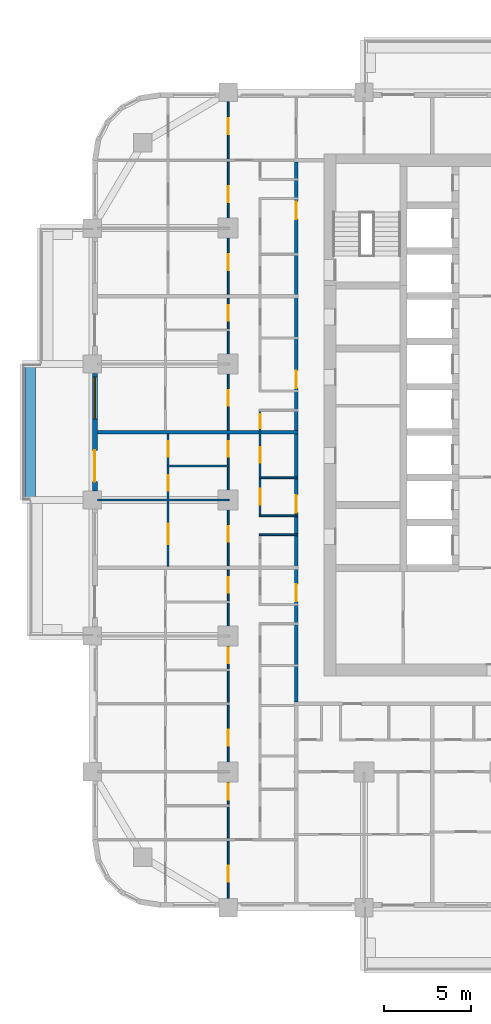
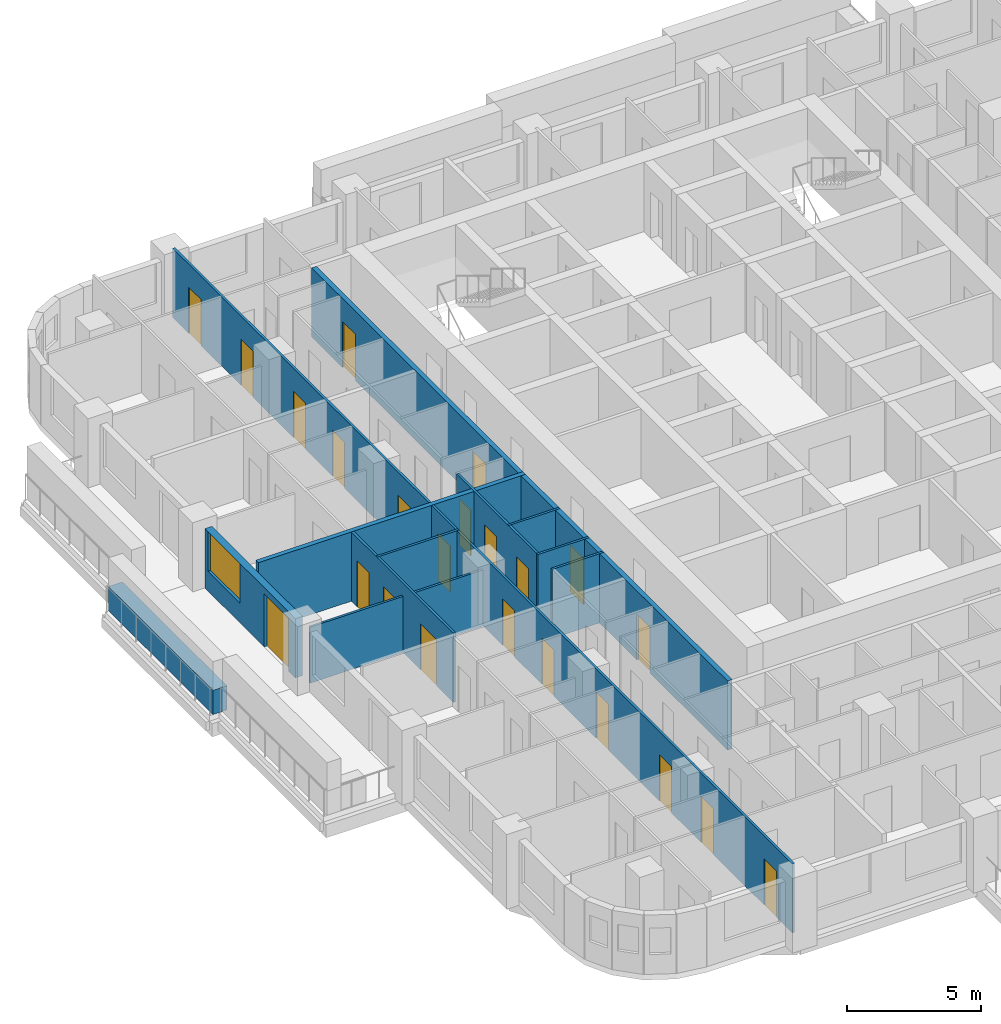
# One storey, part 5 of 17: 23 doors, 12 walls, 1 window, 24 openings.
"""IFC4 building model written with IfcOpenShell, lengths in metres."""

import ifcopenshell
import ifcopenshell.guid

model = None  # the IFC model being written
_history = None  # IfcOwnerHistory: only IFC2X3 demands one
_inside = {}  # id of a spatial element -> (the spatial element, [elements in it])
_under = {}  # id of a project, library or spatial element -> (it, [spatial elements below it])
_declared = {}  # id of a project -> (the project, [libraries it declares])
_typed = {}  # id of a type object -> (the type object, [elements of that type])
_made_of = {}  # id of a material, layer set ... -> (it, [elements and type objects made of it])


def new_model(schema):
    """Start an empty IFC model of exactly this schema.

    Asked for "IFC4X3", IfcOpenShell would pick the latest addendum, in which some entities
    have other attributes; the version numbers below select the first issue.
    IFC2X3 requires an IfcOwnerHistory on every rooted entity: one is made here for all.
    """
    global model, _history
    if schema == "IFC4X3":
        model = ifcopenshell.file(schema_version=(4, 3, 0, 0))
    else:
        model = ifcopenshell.file(schema=schema)
    _inside.clear()
    _under.clear()
    _declared.clear()
    _typed.clear()
    _made_of.clear()
    _history = None
    if model.schema == "IFC2X3":
        org = make("IfcOrganization", Name="unknown")
        user = make(
            "IfcPersonAndOrganization",
            ThePerson=make("IfcPerson", FamilyName="unknown"),
            TheOrganization=org,
        )
        app = make(
            "IfcApplication",
            ApplicationDeveloper=org,
            Version="unknown",
            ApplicationFullName="unknown",
            ApplicationIdentifier="unknown",
        )
        _history = make(
            "IfcOwnerHistory",
            OwningUser=user,
            OwningApplication=app,
            ChangeAction="ADDED",
            CreationDate=0,
        )
    return model


def make(cls, **values):
    """One entity of the class cls with the attributes given. An attribute that is None is left unset."""
    return model.create_entity(
        cls, **{name: value for name, value in values.items() if value is not None}
    )


def rooted(cls, **values):
    """An entity with a GlobalId (a new one), such as an element, a storey or a relation."""
    return make(cls, GlobalId=ifcopenshell.guid.new(), OwnerHistory=_history, **values)


def si_unit(unit_type, name, prefix=None):
    """IfcSIUnit, for example si_unit("LENGTHUNIT", "METRE", prefix="MILLI")."""
    return make("IfcSIUnit", UnitType=unit_type, Prefix=prefix, Name=name)


def assignment(units):
    """IfcUnitAssignment: the units of a project."""
    return None if units is None else make("IfcUnitAssignment", Units=units)


def point(xyz):
    """IfcCartesianPoint."""
    return None if xyz is None else make("IfcCartesianPoint", Coordinates=xyz)


def direction(xyz):
    """IfcDirection."""
    return None if xyz is None else make("IfcDirection", DirectionRatios=xyz)


def frame(location, z_axis=None, x_axis=None):
    """IfcAxis2Placement3D, a coordinate frame: its origin and axes. An axis left out is left unset."""
    return make(
        "IfcAxis2Placement3D",
        Location=point(location),
        Axis=direction(z_axis),
        RefDirection=direction(x_axis),
    )


def frame_2d(location, x_axis=None):
    """IfcAxis2Placement2D, a coordinate frame in the plane: its origin and x axis."""
    return make(
        "IfcAxis2Placement2D", Location=point(location), RefDirection=direction(x_axis)
    )


def origin():
    """The frame at (0, 0, 0) with its axes left unset."""
    return frame((0.0, 0.0, 0.0))


def place(relative_to, where):
    """IfcLocalPlacement: puts the frame where relative to a parent placement (None: the world)."""
    return make(
        "IfcLocalPlacement", PlacementRelTo=relative_to, RelativePlacement=where
    )


def context(
    kind, dimensions, precision=None, world=None, true_north=None, identifier=None
):
    """IfcGeometricRepresentationContext, for example the 3D "Model" context."""
    return make(
        "IfcGeometricRepresentationContext",
        ContextIdentifier=identifier,
        ContextType=kind,
        CoordinateSpaceDimension=dimensions,
        Precision=precision,
        WorldCoordinateSystem=world,
        TrueNorth=true_north,
    )


def subcontext(parent, identifier, kind, view, scale=None):
    """IfcGeometricRepresentationSubContext, for example "Body" below "Model"."""
    return make(
        "IfcGeometricRepresentationSubContext",
        ContextIdentifier=identifier,
        ContextType=kind,
        ParentContext=parent,
        TargetScale=scale,
        TargetView=view,
    )


def project(units=None, contexts=None):
    """IfcProject with its units and contexts."""
    return rooted(
        "IfcProject",
        Name="project",
        RepresentationContexts=contexts,
        UnitsInContext=assignment(units),
    )


def spatial(cls, under=None, at=None, **own):
    """A site, building, storey or space (cls), placed at a placement, below another one or the project."""
    s = rooted(cls, ObjectPlacement=at, **own)
    if under is not None:
        _under.setdefault(under.id(), (under, []))[1].append(s)
    return s


def profile(cls, at=None, kind="AREA", **sizes):
    """A parametric profile (cls). Its sizes go by their IFC names, for example OverallWidth=200.0."""
    return make(cls, ProfileType=kind, Position=at, **sizes)


def rectangle(**sizes):
    """IfcRectangleProfileDef."""
    return profile("IfcRectangleProfileDef", **sizes)


def extrude(swept, where, along, depth):
    """IfcExtrudedAreaSolid: the profile swept, set in the frame where, extruded along a direction by depth."""
    return make(
        "IfcExtrudedAreaSolid",
        SweptArea=swept,
        Position=where,
        ExtrudedDirection=direction(along),
        Depth=depth,
    )


def shape(context_of_items, identifier, shape_type, items):
    """IfcShapeRepresentation: the items that make up one representation, for example the "Body"."""
    return make(
        "IfcShapeRepresentation",
        ContextOfItems=context_of_items,
        RepresentationIdentifier=identifier,
        RepresentationType=shape_type,
        Items=items,
    )


def material(Name=None, Category=None):
    """IfcMaterial."""
    return make("IfcMaterial", Name=Name, Category=Category)


def layer(
    of_material, thickness, ventilated=None, Name=None, Category=None, Priority=None
):
    """IfcMaterialLayer: one layer of a wall or slab, of a material (None: an air gap)."""
    return make(
        "IfcMaterialLayer",
        Material=of_material,
        LayerThickness=thickness,
        IsVentilated=ventilated,
        Name=Name,
        Category=Category,
        Priority=Priority,
    )


def layer_set(layers, Name=None):
    """IfcMaterialLayerSet."""
    return make("IfcMaterialLayerSet", MaterialLayers=layers, LayerSetName=Name)


def made_of(thing, what):
    """Note that an element or type object is made of a material, layer set ...; save() writes the relation."""
    if what is not None:
        _made_of.setdefault(what.id(), (what, []))[1].append(thing)
    return thing


def type_object(cls, material=None, **own):
    """A type object (cls), such as IfcWallType, which elements share."""
    return made_of(rooted(cls, **own), material)


def element(
    cls,
    number,
    at=None,
    inside=None,
    cuts=None,
    type_object=None,
    material=None,
    context=None,
    identifier="Body",
    shape_type=None,
    held_by="IfcProductDefinitionShape",
    body=None,
    shapes=None,
    **own,
):
    """One element of the class cls, such as IfcWall. Its Tag is "e" and its number.

    at: its placement. inside: the storey or other place that contains it. cuts: it is an
    opening in that element (IfcRelVoidsElement). A single representation is given by context,
    identifier, shape_type and body (its items); several are given by shapes. held_by: the class
    of the entity that holds the representations. save() writes the other relations.
    """
    e = rooted(cls, Tag="e%d" % number, ObjectPlacement=at, **own)
    if body is not None:
        shapes = [shape(context, identifier, shape_type, body)]
    if shapes is not None:
        e.Representation = make(held_by, Representations=shapes)
    if inside is not None:
        _inside.setdefault(inside.id(), (inside, []))[1].append(e)
    if cuts is not None:
        rooted(
            "IfcRelVoidsElement", RelatingBuildingElement=cuts, RelatedOpeningElement=e
        )
    if type_object is not None:
        _typed.setdefault(type_object.id(), (type_object, []))[1].append(e)
    return made_of(e, material)


def fill(opening, filler):
    """IfcRelFillsElement: the door or window that sits in an opening."""
    return rooted(
        "IfcRelFillsElement",
        RelatingOpeningElement=opening,
        RelatedBuildingElement=filler,
    )


def aggregate(whole, parts):
    """IfcRelAggregates: a whole, such as a stair, and the parts it consists of."""
    return rooted("IfcRelAggregates", RelatingObject=whole, RelatedObjects=parts)


def save(model, path):
    """Write the relations noted so far, then the file.

    IfcRelAggregates (storeys below a building ...), IfcRelContainedInSpatialStructure (elements
    in a storey), IfcRelDefinesByType, IfcRelAssociatesMaterial and IfcRelDeclares: one each for
    every whole, place, type object, material and project.
    """
    for whole, parts in _under.values():
        aggregate(whole, parts)
    for where, things in _inside.values():
        rooted(
            "IfcRelContainedInSpatialStructure",
            RelatedElements=things,
            RelatingStructure=where,
        )
    for kind, things in _typed.values():
        rooted("IfcRelDefinesByType", RelatedObjects=things, RelatingType=kind)
    for what, things in _made_of.values():
        rooted("IfcRelAssociatesMaterial", RelatedObjects=things, RelatingMaterial=what)
    for by, libraries in _declared.values():
        rooted("IfcRelDeclares", RelatingContext=by, RelatedDefinitions=libraries)
    model.write(path)


model = new_model("IFC4")

# Units and contexts
model_context = context("Model", 3, precision=1e-05, world=origin(), true_north=direction((0.0, 1.0)))
body_context = subcontext(model_context, "Body", "Model", "MODEL_VIEW")
ifc_project = project(units=[si_unit("LENGTHUNIT", "METRE"), si_unit("AREAUNIT", "SQUARE_METRE"), si_unit("VOLUMEUNIT", "CUBIC_METRE"), si_unit("PLANEANGLEUNIT", "RADIAN"), si_unit("MASSUNIT", "GRAM", prefix="KILO")], contexts=[model_context])

# Site, building, storey
site_placement = place(None, origin())
site = spatial("IfcSite", under=ifc_project, at=site_placement, CompositionType="ELEMENT")
building_placement = place(site_placement, origin())
building = spatial("IfcBuilding", under=site, at=building_placement, Name="Ludao Terraces", CompositionType="ELEMENT")
storey_placement = place(building_placement, frame((0.0, 0.0, 39.89990234375)))
storey = spatial("IfcBuildingStorey", under=building, at=storey_placement, Name="L10", CompositionType="ELEMENT", Elevation=39.89990234375)

# Wall
ifc_material_1 = material(Name="Concrete C40", Category="concrete")
ifc_layer_1 = layer(ifc_material_1, 0.60009765625)
ifc_layer_set_1 = layer_set([ifc_layer_1], Name="ENV Planter trough 600")
wall_type_1 = type_object("IfcWallType", Name="ENV Planter trough 600", PredefinedType="USERDEFINED", material=ifc_layer_set_1)
wall_1_placement = place(storey_placement, frame((58.050048828125, 65.0, 0.0), z_axis=(0.0, 0.0, 1.0), x_axis=(0.0, 1.0, 0.0)))
element("IfcWall", 1, at=wall_1_placement, inside=storey, type_object=wall_type_1, Name="PL-L10-W3", ObjectType="PLANTER", PredefinedType="USERDEFINED", context=body_context, shape_type="SweptSolid", body=[
    extrude(rectangle(XDim=7.800048828125, YDim=0.60009765625, at=frame_2d((3.89990234375, 0.0))), origin(), (0.0, 0.0, 1.0), 1.10009765625),
])

# Wall, openings, door, window
ifc_material_2 = material(Name="Granite cladding", Category="masonry")
ifc_layer_2 = layer(ifc_material_2, 0.0400390625, Category="stone")
ifc_material_3 = material(Name="Mineral wool")
ifc_layer_3 = layer(ifc_material_3, 0.06005859375)
ifc_layer_4 = layer(ifc_material_1, 0.199951171875, Category="concrete")
ifc_layer_set_2 = layer_set([ifc_layer_2, ifc_layer_3, ifc_layer_4], Name="ENV Stone-clad wall 300")
wall_type_2 = type_object("IfcWallType", Name="ENV Stone-clad wall 300", PredefinedType="SOLIDWALL", material=ifc_layer_set_2)
wall_2_placement = place(storey_placement, frame((61.75, 65.52490234375, 0.0), z_axis=(0.0, 0.0, 1.0), x_axis=(0.0, 1.0, 0.0)))
wall_2 = element("IfcWall", 2, at=wall_2_placement, inside=storey, type_object=wall_type_2, Name="EW-L10-W4", PredefinedType="SOLIDWALL", context=body_context, shape_type="SweptSolid", body=[
    extrude(rectangle(XDim=6.75, YDim=0.300048828125, at=frame_2d((3.375, 0.0))), origin(), (0.0, 0.0, 1.0), 2.7001953125),
])
opening_1_placement = place(wall_2_placement, frame((0.52490234375, 0.0, 0.0)))
opening_1 = element("IfcOpeningElement", 3, at=opening_1_placement, cuts=wall_2, Name="Opening BD", PredefinedType="OPENING", context=body_context, shape_type="SweptSolid", body=[
    extrude(rectangle(XDim=1.800048828125, YDim=2.39990234375, at=frame_2d((0.89990234375, 1.199951171875))), frame((0.0, 0.16015625, 0.0), z_axis=(0.0, -1.0, 0.0), x_axis=(1.0, 0.0, 0.0)), (0.0, 0.0, 1.0), 0.320068359375),
])
opening_2_placement = place(wall_2_placement, frame((4.125, 0.0, 0.89990234375)))
opening_2 = element("IfcOpeningElement", 4, at=opening_2_placement, cuts=wall_2, Name="Opening W1", PredefinedType="OPENING", context=body_context, shape_type="SweptSolid", body=[
    extrude(rectangle(XDim=2.39990234375, YDim=1.800048828125, at=frame_2d((1.199951171875, 0.89990234375))), frame((0.0, 0.16015625, 0.0), z_axis=(0.0, -1.0, 0.0), x_axis=(1.0, 0.0, 0.0)), (0.0, 0.0, 1.0), 0.320068359375),
])
ifc_material_4 = material(Name="Aluminium glazed door", Category="aluminium")
ifc_layer_5 = layer(ifc_material_4, 0.06005859375)
ifc_layer_set_3 = layer_set([ifc_layer_5], Name="ENV Balcony door BD 1800x2400")
door_type_1 = type_object("IfcDoorType", Name="ENV Balcony door BD 1800x2400", OperationType="DOUBLE_DOOR_SINGLE_SWING", PredefinedType="DOOR", material=ifc_layer_set_3)
door_1_placement = place(opening_1_placement, origin())
door_1 = element("IfcDoor", 5, at=door_1_placement, inside=storey, type_object=door_type_1, Name="BD-L10-W4-1", OperationType="DOUBLE_DOOR_SINGLE_SWING", OverallHeight=2.39990234375, OverallWidth=1.800048828125, PredefinedType="DOOR", context=body_context, shape_type="SweptSolid", body=[
    extrude(rectangle(XDim=1.800048828125, YDim=2.39990234375, at=frame_2d((0.89990234375, 1.199951171875))), frame((0.0, 0.02490234375, 0.0), z_axis=(0.0, -1.0, 0.0), x_axis=(1.0, 0.0, 0.0)), (0.0, 0.0, 1.0), 0.050048828125),
])
fill(opening_1, door_1)
ifc_material_5 = material(Name="Clear glass in aluminium frame", Category="aluminium")
ifc_layer_6 = layer(ifc_material_5, 0.06005859375)
ifc_layer_set_4 = layer_set([ifc_layer_6], Name="ENV Window W1 2400x1800")
window_type = type_object("IfcWindowType", Name="ENV Window W1 2400x1800", PartitioningType="DOUBLE_PANEL_VERTICAL", PredefinedType="WINDOW", material=ifc_layer_set_4)
window_placement = place(opening_2_placement, origin())
window = element("IfcWindow", 6, at=window_placement, inside=storey, type_object=window_type, Name="W-L10-W4-2", OverallHeight=1.800048828125, OverallWidth=2.39990234375, PartitioningType="DOUBLE_PANEL_VERTICAL", PredefinedType="WINDOW", context=body_context, shape_type="SweptSolid", body=[
    extrude(rectangle(XDim=2.39990234375, YDim=1.800048828125, at=frame_2d((1.199951171875, 0.89990234375))), frame((0.0, 0.030029296875, 0.0), z_axis=(0.0, -1.0, 0.0), x_axis=(1.0, 0.0, 0.0)), (0.0, 0.0, 1.0), 0.06005859375),
])
fill(opening_2, window)

# Wall, openings, doors
ifc_material_6 = material(Name="Autoclaved aerated concrete block B06 A3.5", Category="concrete")
ifc_layer_7 = layer(ifc_material_6, 0.199951171875)
ifc_layer_set_5 = layer_set([ifc_layer_7], Name="INT Entrance wall 200")
wall_type_3 = type_object("IfcWallType", Name="INT Entrance wall 200", PredefinedType="PARTITIONING", material=ifc_layer_set_5)
wall_3_placement = place(storey_placement, frame((73.300048828125, 53.400146484375, 0.0), z_axis=(0.0, 0.0, 1.0), x_axis=(0.0, 1.0, 0.0)))
wall_3 = element("IfcWall", 7, at=wall_3_placement, inside=storey, type_object=wall_type_3, Name="PW-L10-PW090", PredefinedType="PARTITIONING", context=body_context, shape_type="SweptSolid", body=[
    extrude(rectangle(XDim=31.0, YDim=0.199951171875, at=frame_2d((15.5, 0.0))), origin(), (0.0, 0.0, 1.0), 3.150146484375),
])
opening_3_placement = place(wall_3_placement, frame((5.77490234375, 0.0, 0.0)))
opening_3 = element("IfcOpeningElement", 8, at=opening_3_placement, cuts=wall_3, Name="Opening R03-067", PredefinedType="OPENING", context=body_context, shape_type="SweptSolid", body=[
    extrude(rectangle(XDim=1.0, YDim=2.10009765625, at=frame_2d((0.5, 1.050048828125))), frame((0.0, 0.10986328125, 0.0), z_axis=(0.0, -1.0, 0.0), x_axis=(1.0, 0.0, 0.0)), (0.0, 0.0, 1.0), 0.219970703125),
])
opening_4_placement = place(wall_3_placement, frame((10.875, 0.0, 0.0)))
opening_4 = element("IfcOpeningElement", 9, at=opening_4_placement, cuts=wall_3, Name="Opening R03-085", PredefinedType="OPENING", context=body_context, shape_type="SweptSolid", body=[
    extrude(rectangle(XDim=1.0, YDim=2.10009765625, at=frame_2d((0.5, 1.050048828125))), frame((0.0, 0.10986328125, 0.0), z_axis=(0.0, -1.0, 0.0), x_axis=(1.0, 0.0, 0.0)), (0.0, 0.0, 1.0), 0.219970703125),
])
opening_5_placement = place(wall_3_placement, frame((18.02490234375, 0.0, 0.0)))
opening_5 = element("IfcOpeningElement", 10, at=opening_5_placement, cuts=wall_3, Name="Opening R03-108", PredefinedType="OPENING", context=body_context, shape_type="SweptSolid", body=[
    extrude(rectangle(XDim=1.0, YDim=2.10009765625, at=frame_2d((0.5, 1.050048828125))), frame((0.0, 0.10986328125, 0.0), z_axis=(0.0, -1.0, 0.0), x_axis=(1.0, 0.0, 0.0)), (0.0, 0.0, 1.0), 0.219970703125),
])
opening_6_placement = place(wall_3_placement, frame((27.72509765625, 0.0, 0.0)))
opening_6 = element("IfcOpeningElement", 11, at=opening_6_placement, cuts=wall_3, Name="Opening R03-144", PredefinedType="OPENING", context=body_context, shape_type="SweptSolid", body=[
    extrude(rectangle(XDim=1.0, YDim=2.10009765625, at=frame_2d((0.5, 1.050048828125))), frame((0.0, 0.10986328125, 0.0), z_axis=(0.0, -1.0, 0.0), x_axis=(1.0, 0.0, 0.0)), (0.0, 0.0, 1.0), 0.219970703125),
])
ifc_material_7 = material(Name="Steel Q235", Category="steel")
door_type_2 = type_object("IfcDoorType", Name="INT Flat entrance door 1000", OperationType="SINGLE_SWING_LEFT", PredefinedType="DOOR", material=ifc_material_7)
door_2_placement = place(opening_3_placement, origin())
door_2 = element("IfcDoor", 12, at=door_2_placement, inside=storey, type_object=door_type_2, Name="DOOR 067", OperationType="SINGLE_SWING_RIGHT", OverallHeight=2.10009765625, OverallWidth=1.0, PredefinedType="DOOR", context=body_context, shape_type="SweptSolid", body=[
    extrude(rectangle(XDim=1.0, YDim=2.10009765625, at=frame_2d((0.5, 1.050048828125))), frame((0.0, 0.02490234375, 0.0), z_axis=(0.0, -1.0, 0.0), x_axis=(1.0, 0.0, 0.0)), (0.0, 0.0, 1.0), 0.050048828125),
])
fill(opening_3, door_2)
door_3_placement = place(opening_4_placement, origin())
door_3 = element("IfcDoor", 13, at=door_3_placement, inside=storey, type_object=door_type_2, Name="DOOR 085", OperationType="SINGLE_SWING_RIGHT", OverallHeight=2.10009765625, OverallWidth=1.0, PredefinedType="DOOR", context=body_context, shape_type="SweptSolid", body=[
    extrude(rectangle(XDim=1.0, YDim=2.10009765625, at=frame_2d((0.5, 1.050048828125))), frame((0.0, 0.02490234375, 0.0), z_axis=(0.0, -1.0, 0.0), x_axis=(1.0, 0.0, 0.0)), (0.0, 0.0, 1.0), 0.050048828125),
])
fill(opening_4, door_3)
door_4_placement = place(opening_5_placement, origin())
door_4 = element("IfcDoor", 14, at=door_4_placement, inside=storey, type_object=door_type_2, Name="DOOR 108", OperationType="SINGLE_SWING_RIGHT", OverallHeight=2.10009765625, OverallWidth=1.0, PredefinedType="DOOR", context=body_context, shape_type="SweptSolid", body=[
    extrude(rectangle(XDim=1.0, YDim=2.10009765625, at=frame_2d((0.5, 1.050048828125))), frame((0.0, 0.02490234375, 0.0), z_axis=(0.0, -1.0, 0.0), x_axis=(1.0, 0.0, 0.0)), (0.0, 0.0, 1.0), 0.050048828125),
])
fill(opening_5, door_4)
door_5_placement = place(opening_6_placement, origin())
door_5 = element("IfcDoor", 15, at=door_5_placement, inside=storey, type_object=door_type_2, Name="DOOR 144", OperationType="SINGLE_SWING_LEFT", OverallHeight=2.10009765625, OverallWidth=1.0, PredefinedType="DOOR", context=body_context, shape_type="SweptSolid", body=[
    extrude(rectangle(XDim=1.0, YDim=2.10009765625, at=frame_2d((0.5, 1.050048828125))), frame((0.0, 0.02490234375, 0.0), z_axis=(0.0, -1.0, 0.0), x_axis=(1.0, 0.0, 0.0)), (0.0, 0.0, 1.0), 0.050048828125),
])
fill(opening_6, door_5)

# Walls
ifc_material_8 = material(Name="Gypsum plasterboard", Category="gypsum")
ifc_layer_8 = layer(ifc_material_8, 0.012451171875, Category="gypsum")
ifc_layer_9 = layer(ifc_material_3, 0.06005859375, Name="insulation")
ifc_layer_10 = layer(ifc_material_7, 0.014892578125, Name="stud")
ifc_layer_11 = layer(ifc_material_8, 0.012451171875, Category="gypsum")
ifc_layer_set_6 = layer_set([ifc_layer_8, ifc_layer_9, ifc_layer_10, ifc_layer_11], Name="INT Partition 100")
wall_type_4 = type_object("IfcWallType", Name="INT Partition 100", PredefinedType="PARTITIONING", material=ifc_layer_set_6)
for number, where, z_axis, x_axis, name in (
    (16, (71.18017578125, 63.0, 0.0), (0.0, 0.0, 1.0), (1.0, 0.0, 0.0), "PW-L10-PW038"),
    (17, (71.18017578125, 64.10009765625, 0.0), (0.0, 0.0, 1.0), (1.0, 0.0, 0.0), "PW-L10-PW041"),
):
    element("IfcWall", number, at=place(storey_placement, frame(where, z_axis=z_axis, x_axis=x_axis)), inside=storey, type_object=wall_type_4, Name=name, PredefinedType="PARTITIONING", context=body_context, shape_type="SweptSolid", body=[
        extrude(rectangle(XDim=2.219970703125, YDim=0.10009765625, at=frame_2d((1.10986328125, 0.0))), origin(), (0.0, 0.0, 1.0), 3.150146484375),
    ])
wall_4_placement = place(storey_placement, frame((61.900146484375, 65.0, 0.0), z_axis=(0.0, 0.0, 1.0), x_axis=(1.0, 0.0, 0.0)))
element("IfcWall", 18, at=wall_4_placement, inside=storey, type_object=wall_type_4, Name="PW-L10-PW043", PredefinedType="PARTITIONING", context=body_context, shape_type="SweptSolid", body=[
    extrude(rectangle(XDim=7.550048828125, YDim=0.10009765625, at=frame_2d((3.77490234375, 0.0))), origin(), (0.0, 0.0, 1.0), 2.550048828125),
])
wall_5_placement = place(storey_placement, frame((71.18017578125, 66.280029296875, 0.0), z_axis=(0.0, 0.0, 1.0), x_axis=(1.0, 0.0, 0.0)))
element("IfcWall", 19, at=wall_5_placement, inside=storey, type_object=wall_type_4, Name="PW-L10-PW045", PredefinedType="PARTITIONING", context=body_context, shape_type="SweptSolid", body=[
    extrude(rectangle(XDim=2.219970703125, YDim=0.10009765625, at=frame_2d((1.10986328125, 0.0))), origin(), (0.0, 0.0, 1.0), 3.150146484375),
])
wall_6_placement = place(storey_placement, frame((65.900146484375, 66.949951171875, 0.0), z_axis=(0.0, 0.0, 1.0), x_axis=(1.0, 0.0, 0.0)))
element("IfcWall", 20, at=wall_6_placement, inside=storey, type_object=wall_type_4, Name="PW-L10-PW047", PredefinedType="PARTITIONING", context=body_context, shape_type="SweptSolid", body=[
    extrude(rectangle(XDim=3.550048828125, YDim=0.10009765625, at=frame_2d((1.77490234375, 0.0))), origin(), (0.0, 0.0, 1.0), 3.150146484375),
])

# Wall, openings, doors
wall_7_placement = place(storey_placement, frame((65.949951171875, 61.2001953125, 0.0), z_axis=(0.0, 0.0, 1.0), x_axis=(0.0, 1.0, 0.0)))
wall_7 = element("IfcWall", 21, at=wall_7_placement, inside=storey, type_object=wall_type_4, Name="PW-L10-PW081", PredefinedType="PARTITIONING", context=body_context, shape_type="SweptSolid", body=[
    extrude(rectangle(XDim=7.599853515625, YDim=0.10009765625, at=frame_2d((3.7998046875, 0.0))), origin(), (0.0, 0.0, 1.0), 3.150146484375),
])
opening_7_placement = place(wall_7_placement, frame((1.25, 0.0, 0.0)))
opening_7 = element("IfcOpeningElement", 22, at=opening_7_placement, cuts=wall_7, Name="Opening R03-080", PredefinedType="OPENING", context=body_context, shape_type="SweptSolid", body=[
    extrude(rectangle(XDim=1.199951171875, YDim=2.10009765625, at=frame_2d((0.60009765625, 1.050048828125))), frame((0.0, 0.06005859375, 0.0), z_axis=(0.0, -1.0, 0.0), x_axis=(1.0, 0.0, 0.0)), (0.0, 0.0, 1.0), 0.1201171875),
])
opening_8_placement = place(wall_7_placement, frame((4.324951171875, 0.0, 0.0)))
opening_8 = element("IfcOpeningElement", 23, at=opening_8_placement, cuts=wall_7, Name="Opening R03-090", PredefinedType="OPENING", context=body_context, shape_type="SweptSolid", body=[
    extrude(rectangle(XDim=0.89990234375, YDim=2.10009765625, at=frame_2d((0.449951171875, 1.050048828125))), frame((0.0, 0.06005859375, 0.0), z_axis=(0.0, -1.0, 0.0), x_axis=(1.0, 0.0, 0.0)), (0.0, 0.0, 1.0), 0.1201171875),
])
opening_9_placement = place(wall_7_placement, frame((6.27490234375, 0.0, 0.0)))
opening_9 = element("IfcOpeningElement", 24, at=opening_9_placement, cuts=wall_7, Name="Opening R03-098", PredefinedType="OPENING", context=body_context, shape_type="SweptSolid", body=[
    extrude(rectangle(XDim=0.89990234375, YDim=2.10009765625, at=frame_2d((0.449951171875, 1.050048828125))), frame((0.0, 0.06005859375, 0.0), z_axis=(0.0, -1.0, 0.0), x_axis=(1.0, 0.0, 0.0)), (0.0, 0.0, 1.0), 0.1201171875),
])
ifc_material_9 = material(Name="Timber door leaf", Category="wood")
door_type_3 = type_object("IfcDoorType", Name="INT Bathroom door 900", OperationType="SINGLE_SWING_LEFT", PredefinedType="DOOR", material=ifc_material_9)
door_6_placement = place(opening_8_placement, origin())
door_6 = element("IfcDoor", 25, at=door_6_placement, inside=storey, type_object=door_type_3, Name="DOOR 090", OperationType="SINGLE_SWING_LEFT", OverallHeight=2.10009765625, OverallWidth=0.89990234375, PredefinedType="DOOR", context=body_context, shape_type="SweptSolid", body=[
    extrude(rectangle(XDim=0.89990234375, YDim=2.10009765625, at=frame_2d((0.449951171875, 1.050048828125))), frame((0.0, 0.02490234375, 0.0), z_axis=(0.0, -1.0, 0.0), x_axis=(1.0, 0.0, 0.0)), (0.0, 0.0, 1.0), 0.050048828125),
])
fill(opening_8, door_6)
door_type_4 = type_object("IfcDoorType", Name="INT Double door 1200", OperationType="DOUBLE_DOOR_SINGLE_SWING", PredefinedType="DOOR", material=ifc_material_9)
door_7_placement = place(opening_7_placement, origin())
door_7 = element("IfcDoor", 26, at=door_7_placement, inside=storey, type_object=door_type_4, Name="DOOR 080", OperationType="DOUBLE_DOOR_SINGLE_SWING", OverallHeight=2.10009765625, OverallWidth=1.199951171875, PredefinedType="DOOR", context=body_context, shape_type="SweptSolid", body=[
    extrude(rectangle(XDim=1.199951171875, YDim=2.10009765625, at=frame_2d((0.60009765625, 1.050048828125))), frame((0.0, 0.02490234375, 0.0), z_axis=(0.0, -1.0, 0.0), x_axis=(1.0, 0.0, 0.0)), (0.0, 0.0, 1.0), 0.050048828125),
])
fill(opening_7, door_7)
door_type_5 = type_object("IfcDoorType", Name="INT Room door 900", OperationType="SINGLE_SWING_LEFT", PredefinedType="DOOR", material=ifc_material_9)
door_8_placement = place(opening_9_placement, origin())
door_8 = element("IfcDoor", 27, at=door_8_placement, inside=storey, type_object=door_type_5, Name="DOOR 098", OperationType="SINGLE_SWING_LEFT", OverallHeight=2.10009765625, OverallWidth=0.89990234375, PredefinedType="DOOR", context=body_context, shape_type="SweptSolid", body=[
    extrude(rectangle(XDim=0.89990234375, YDim=2.10009765625, at=frame_2d((0.449951171875, 1.050048828125))), frame((0.0, 0.02490234375, 0.0), z_axis=(0.0, -1.0, 0.0), x_axis=(1.0, 0.0, 0.0)), (0.0, 0.0, 1.0), 0.050048828125),
])
fill(opening_9, door_8)

wall_8_placement = place(storey_placement, frame((69.39990234375, 41.900146484375, 0.0), z_axis=(0.0, 0.0, 1.0), x_axis=(0.0, 1.0, 0.0)))
wall_8 = element("IfcWall", 28, at=wall_8_placement, inside=storey, type_object=wall_type_4, Name="PW-L10-PW083", PredefinedType="PARTITIONING", context=body_context, shape_type="SweptSolid", body=[
    extrude(rectangle(XDim=46.199951171875, YDim=0.10009765625, at=frame_2d((23.10009765625, 0.0))), origin(), (0.0, 0.0, 1.0), 3.150146484375),
])
opening_10_placement = place(wall_8_placement, frame((1.199951171875, 0.0, 0.0)))
opening_10 = element("IfcOpeningElement", 29, at=opening_10_placement, cuts=wall_8, Name="Opening R03-002", PredefinedType="OPENING", context=body_context, shape_type="SweptSolid", body=[
    extrude(rectangle(XDim=0.89990234375, YDim=2.10009765625, at=frame_2d((0.449951171875, 1.050048828125))), frame((0.0, 0.06005859375, 0.0), z_axis=(0.0, -1.0, 0.0), x_axis=(1.0, 0.0, 0.0)), (0.0, 0.0, 1.0), 0.1201171875),
])
opening_11_placement = place(wall_8_placement, frame((5.89990234375, 0.0, 0.0)))
opening_11 = element("IfcOpeningElement", 30, at=opening_11_placement, cuts=wall_8, Name="Opening R03-020", PredefinedType="OPENING", context=body_context, shape_type="SweptSolid", body=[
    extrude(rectangle(XDim=0.89990234375, YDim=2.10009765625, at=frame_2d((0.449951171875, 1.050048828125))), frame((0.0, 0.06005859375, 0.0), z_axis=(0.0, -1.0, 0.0), x_axis=(1.0, 0.0, 0.0)), (0.0, 0.0, 1.0), 0.1201171875),
])
opening_12_placement = place(wall_8_placement, frame((9.0, 0.0, 0.0)))
opening_12 = element("IfcOpeningElement", 31, at=opening_12_placement, cuts=wall_8, Name="Opening R03-042", PredefinedType="OPENING", context=body_context, shape_type="SweptSolid", body=[
    extrude(rectangle(XDim=0.89990234375, YDim=2.10009765625, at=frame_2d((0.449951171875, 1.050048828125))), frame((0.0, 0.06005859375, 0.0), z_axis=(0.0, -1.0, 0.0), x_axis=(1.0, 0.0, 0.0)), (0.0, 0.0, 1.0), 0.1201171875),
])
opening_13_placement = place(wall_8_placement, frame((13.72509765625, 0.0, 0.0)))
opening_13 = element("IfcOpeningElement", 32, at=opening_13_placement, cuts=wall_8, Name="Opening R03-055", PredefinedType="OPENING", context=body_context, shape_type="SweptSolid", body=[
    extrude(rectangle(XDim=0.89990234375, YDim=2.10009765625, at=frame_2d((0.449951171875, 1.050048828125))), frame((0.0, 0.06005859375, 0.0), z_axis=(0.0, -1.0, 0.0), x_axis=(1.0, 0.0, 0.0)), (0.0, 0.0, 1.0), 0.1201171875),
])
opening_14_placement = place(wall_8_placement, frame((17.77490234375, 0.0, 0.0)))
opening_14 = element("IfcOpeningElement", 33, at=opening_14_placement, cuts=wall_8, Name="Opening R03-070", PredefinedType="OPENING", context=body_context, shape_type="SweptSolid", body=[
    extrude(rectangle(XDim=0.89990234375, YDim=2.10009765625, at=frame_2d((0.449951171875, 1.050048828125))), frame((0.0, 0.06005859375, 0.0), z_axis=(0.0, -1.0, 0.0), x_axis=(1.0, 0.0, 0.0)), (0.0, 0.0, 1.0), 0.1201171875),
])
opening_15_placement = place(wall_8_placement, frame((20.699951171875, 0.0, 0.0)))
opening_15 = element("IfcOpeningElement", 34, at=opening_15_placement, cuts=wall_8, Name="Opening R03-081", PredefinedType="OPENING", context=body_context, shape_type="SweptSolid", body=[
    extrude(rectangle(XDim=0.89990234375, YDim=2.10009765625, at=frame_2d((0.449951171875, 1.050048828125))), frame((0.0, 0.06005859375, 0.0), z_axis=(0.0, -1.0, 0.0), x_axis=(1.0, 0.0, 0.0)), (0.0, 0.0, 1.0), 0.1201171875),
])
opening_16_placement = place(wall_8_placement, frame((25.574951171875, 0.0, 0.0)))
opening_16 = element("IfcOpeningElement", 35, at=opening_16_placement, cuts=wall_8, Name="Opening R03-099", PredefinedType="OPENING", context=body_context, shape_type="SweptSolid", body=[
    extrude(rectangle(XDim=0.89990234375, YDim=2.10009765625, at=frame_2d((0.449951171875, 1.050048828125))), frame((0.0, 0.06005859375, 0.0), z_axis=(0.0, -1.0, 0.0), x_axis=(1.0, 0.0, 0.0)), (0.0, 0.0, 1.0), 0.1201171875),
])
opening_17_placement = place(wall_8_placement, frame((28.5, 0.0, 0.0)))
opening_17 = element("IfcOpeningElement", 36, at=opening_17_placement, cuts=wall_8, Name="Opening R03-104", PredefinedType="OPENING", context=body_context, shape_type="SweptSolid", body=[
    extrude(rectangle(XDim=0.89990234375, YDim=2.10009765625, at=frame_2d((0.449951171875, 1.050048828125))), frame((0.0, 0.06005859375, 0.0), z_axis=(0.0, -1.0, 0.0), x_axis=(1.0, 0.0, 0.0)), (0.0, 0.0, 1.0), 0.1201171875),
])
opening_18_placement = place(wall_8_placement, frame((33.375, 0.0, 0.0)))
opening_18 = element("IfcOpeningElement", 37, at=opening_18_placement, cuts=wall_8, Name="Opening R03-123", PredefinedType="OPENING", context=body_context, shape_type="SweptSolid", body=[
    extrude(rectangle(XDim=0.89990234375, YDim=2.10009765625, at=frame_2d((0.449951171875, 1.050048828125))), frame((0.0, 0.06005859375, 0.0), z_axis=(0.0, -1.0, 0.0), x_axis=(1.0, 0.0, 0.0)), (0.0, 0.0, 1.0), 0.1201171875),
])
opening_19_placement = place(wall_8_placement, frame((36.300048828125, 0.0, 0.0)))
opening_19 = element("IfcOpeningElement", 38, at=opening_19_placement, cuts=wall_8, Name="Opening R03-136", PredefinedType="OPENING", context=body_context, shape_type="SweptSolid", body=[
    extrude(rectangle(XDim=0.89990234375, YDim=2.10009765625, at=frame_2d((0.449951171875, 1.050048828125))), frame((0.0, 0.06005859375, 0.0), z_axis=(0.0, -1.0, 0.0), x_axis=(1.0, 0.0, 0.0)), (0.0, 0.0, 1.0), 0.1201171875),
])
opening_20_placement = place(wall_8_placement, frame((40.199951171875, 0.0, 0.0)))
opening_20 = element("IfcOpeningElement", 39, at=opening_20_placement, cuts=wall_8, Name="Opening R03-146", PredefinedType="OPENING", context=body_context, shape_type="SweptSolid", body=[
    extrude(rectangle(XDim=0.89990234375, YDim=2.10009765625, at=frame_2d((0.449951171875, 1.050048828125))), frame((0.0, 0.06005859375, 0.0), z_axis=(0.0, -1.0, 0.0), x_axis=(1.0, 0.0, 0.0)), (0.0, 0.0, 1.0), 0.1201171875),
])
opening_21_placement = place(wall_8_placement, frame((44.10009765625, 0.0, 0.0)))
opening_21 = element("IfcOpeningElement", 40, at=opening_21_placement, cuts=wall_8, Name="Opening R03-156", PredefinedType="OPENING", context=body_context, shape_type="SweptSolid", body=[
    extrude(rectangle(XDim=0.89990234375, YDim=2.10009765625, at=frame_2d((0.449951171875, 1.050048828125))), frame((0.0, 0.06005859375, 0.0), z_axis=(0.0, -1.0, 0.0), x_axis=(1.0, 0.0, 0.0)), (0.0, 0.0, 1.0), 0.1201171875),
])
door_9_placement = place(opening_10_placement, origin())
door_9 = element("IfcDoor", 41, at=door_9_placement, inside=storey, type_object=door_type_5, Name="DOOR 002", OperationType="SINGLE_SWING_LEFT", OverallHeight=2.10009765625, OverallWidth=0.89990234375, PredefinedType="DOOR", context=body_context, shape_type="SweptSolid", body=[
    extrude(rectangle(XDim=0.89990234375, YDim=2.10009765625, at=frame_2d((0.449951171875, 1.050048828125))), frame((0.0, 0.02490234375, 0.0), z_axis=(0.0, -1.0, 0.0), x_axis=(1.0, 0.0, 0.0)), (0.0, 0.0, 1.0), 0.050048828125),
])
fill(opening_10, door_9)
door_10_placement = place(opening_11_placement, origin())
door_10 = element("IfcDoor", 42, at=door_10_placement, inside=storey, type_object=door_type_5, Name="DOOR 020", OperationType="SINGLE_SWING_LEFT", OverallHeight=2.10009765625, OverallWidth=0.89990234375, PredefinedType="DOOR", context=body_context, shape_type="SweptSolid", body=[
    extrude(rectangle(XDim=0.89990234375, YDim=2.10009765625, at=frame_2d((0.449951171875, 1.050048828125))), frame((0.0, 0.02490234375, 0.0), z_axis=(0.0, -1.0, 0.0), x_axis=(1.0, 0.0, 0.0)), (0.0, 0.0, 1.0), 0.050048828125),
])
fill(opening_11, door_10)
door_11_placement = place(opening_12_placement, origin())
door_11 = element("IfcDoor", 43, at=door_11_placement, inside=storey, type_object=door_type_5, Name="DOOR 042", OperationType="SINGLE_SWING_RIGHT", OverallHeight=2.10009765625, OverallWidth=0.89990234375, PredefinedType="DOOR", context=body_context, shape_type="SweptSolid", body=[
    extrude(rectangle(XDim=0.89990234375, YDim=2.10009765625, at=frame_2d((0.449951171875, 1.050048828125))), frame((0.0, 0.02490234375, 0.0), z_axis=(0.0, -1.0, 0.0), x_axis=(1.0, 0.0, 0.0)), (0.0, 0.0, 1.0), 0.050048828125),
])
fill(opening_12, door_11)
door_12_placement = place(opening_13_placement, origin())
door_12 = element("IfcDoor", 44, at=door_12_placement, inside=storey, type_object=door_type_5, Name="DOOR 055", OperationType="SINGLE_SWING_LEFT", OverallHeight=2.10009765625, OverallWidth=0.89990234375, PredefinedType="DOOR", context=body_context, shape_type="SweptSolid", body=[
    extrude(rectangle(XDim=0.89990234375, YDim=2.10009765625, at=frame_2d((0.449951171875, 1.050048828125))), frame((0.0, 0.02490234375, 0.0), z_axis=(0.0, -1.0, 0.0), x_axis=(1.0, 0.0, 0.0)), (0.0, 0.0, 1.0), 0.050048828125),
])
fill(opening_13, door_12)
door_13_placement = place(opening_14_placement, origin())
door_13 = element("IfcDoor", 45, at=door_13_placement, inside=storey, type_object=door_type_5, Name="DOOR 070", OperationType="SINGLE_SWING_LEFT", OverallHeight=2.10009765625, OverallWidth=0.89990234375, PredefinedType="DOOR", context=body_context, shape_type="SweptSolid", body=[
    extrude(rectangle(XDim=0.89990234375, YDim=2.10009765625, at=frame_2d((0.449951171875, 1.050048828125))), frame((0.0, 0.02490234375, 0.0), z_axis=(0.0, -1.0, 0.0), x_axis=(1.0, 0.0, 0.0)), (0.0, 0.0, 1.0), 0.050048828125),
])
fill(opening_14, door_13)
door_14_placement = place(opening_15_placement, origin())
door_14 = element("IfcDoor", 46, at=door_14_placement, inside=storey, type_object=door_type_5, Name="DOOR 081", OperationType="SINGLE_SWING_RIGHT", OverallHeight=2.10009765625, OverallWidth=0.89990234375, PredefinedType="DOOR", context=body_context, shape_type="SweptSolid", body=[
    extrude(rectangle(XDim=0.89990234375, YDim=2.10009765625, at=frame_2d((0.449951171875, 1.050048828125))), frame((0.0, 0.02490234375, 0.0), z_axis=(0.0, -1.0, 0.0), x_axis=(1.0, 0.0, 0.0)), (0.0, 0.0, 1.0), 0.050048828125),
])
fill(opening_15, door_14)
door_15_placement = place(opening_16_placement, origin())
door_15 = element("IfcDoor", 47, at=door_15_placement, inside=storey, type_object=door_type_5, Name="DOOR 099", OperationType="SINGLE_SWING_RIGHT", OverallHeight=2.10009765625, OverallWidth=0.89990234375, PredefinedType="DOOR", context=body_context, shape_type="SweptSolid", body=[
    extrude(rectangle(XDim=0.89990234375, YDim=2.10009765625, at=frame_2d((0.449951171875, 1.050048828125))), frame((0.0, 0.02490234375, 0.0), z_axis=(0.0, -1.0, 0.0), x_axis=(1.0, 0.0, 0.0)), (0.0, 0.0, 1.0), 0.050048828125),
])
fill(opening_16, door_15)
door_16_placement = place(opening_17_placement, origin())
door_16 = element("IfcDoor", 48, at=door_16_placement, inside=storey, type_object=door_type_5, Name="DOOR 104", OperationType="SINGLE_SWING_LEFT", OverallHeight=2.10009765625, OverallWidth=0.89990234375, PredefinedType="DOOR", context=body_context, shape_type="SweptSolid", body=[
    extrude(rectangle(XDim=0.89990234375, YDim=2.10009765625, at=frame_2d((0.449951171875, 1.050048828125))), frame((0.0, 0.02490234375, 0.0), z_axis=(0.0, -1.0, 0.0), x_axis=(1.0, 0.0, 0.0)), (0.0, 0.0, 1.0), 0.050048828125),
])
fill(opening_17, door_16)
door_17_placement = place(opening_18_placement, origin())
door_17 = element("IfcDoor", 49, at=door_17_placement, inside=storey, type_object=door_type_5, Name="DOOR 123", OperationType="SINGLE_SWING_RIGHT", OverallHeight=2.10009765625, OverallWidth=0.89990234375, PredefinedType="DOOR", context=body_context, shape_type="SweptSolid", body=[
    extrude(rectangle(XDim=0.89990234375, YDim=2.10009765625, at=frame_2d((0.449951171875, 1.050048828125))), frame((0.0, 0.02490234375, 0.0), z_axis=(0.0, -1.0, 0.0), x_axis=(1.0, 0.0, 0.0)), (0.0, 0.0, 1.0), 0.050048828125),
])
fill(opening_18, door_17)
door_18_placement = place(opening_19_placement, origin())
door_18 = element("IfcDoor", 50, at=door_18_placement, inside=storey, type_object=door_type_5, Name="DOOR 136", OperationType="SINGLE_SWING_RIGHT", OverallHeight=2.10009765625, OverallWidth=0.89990234375, PredefinedType="DOOR", context=body_context, shape_type="SweptSolid", body=[
    extrude(rectangle(XDim=0.89990234375, YDim=2.10009765625, at=frame_2d((0.449951171875, 1.050048828125))), frame((0.0, 0.02490234375, 0.0), z_axis=(0.0, -1.0, 0.0), x_axis=(1.0, 0.0, 0.0)), (0.0, 0.0, 1.0), 0.050048828125),
])
fill(opening_19, door_18)
door_19_placement = place(opening_20_placement, origin())
door_19 = element("IfcDoor", 51, at=door_19_placement, inside=storey, type_object=door_type_5, Name="DOOR 146", OperationType="SINGLE_SWING_RIGHT", OverallHeight=2.10009765625, OverallWidth=0.89990234375, PredefinedType="DOOR", context=body_context, shape_type="SweptSolid", body=[
    extrude(rectangle(XDim=0.89990234375, YDim=2.10009765625, at=frame_2d((0.449951171875, 1.050048828125))), frame((0.0, 0.02490234375, 0.0), z_axis=(0.0, -1.0, 0.0), x_axis=(1.0, 0.0, 0.0)), (0.0, 0.0, 1.0), 0.050048828125),
])
fill(opening_20, door_19)
door_20_placement = place(opening_21_placement, origin())
door_20 = element("IfcDoor", 52, at=door_20_placement, inside=storey, type_object=door_type_5, Name="DOOR 156", OperationType="SINGLE_SWING_RIGHT", OverallHeight=2.10009765625, OverallWidth=0.89990234375, PredefinedType="DOOR", context=body_context, shape_type="SweptSolid", body=[
    extrude(rectangle(XDim=0.89990234375, YDim=2.10009765625, at=frame_2d((0.449951171875, 1.050048828125))), frame((0.0, 0.02490234375, 0.0), z_axis=(0.0, -1.0, 0.0), x_axis=(1.0, 0.0, 0.0)), (0.0, 0.0, 1.0), 0.050048828125),
])
fill(opening_21, door_20)

wall_9_placement = place(storey_placement, frame((71.22998046875, 64.150146484375, 0.0), z_axis=(0.0, 0.0, 1.0), x_axis=(0.0, 1.0, 0.0)))
wall_9 = element("IfcWall", 53, at=wall_9_placement, inside=storey, type_object=wall_type_4, Name="PW-L10-PW086", PredefinedType="PARTITIONING", context=body_context, shape_type="SweptSolid", body=[
    extrude(rectangle(XDim=5.949951171875, YDim=0.10009765625, at=frame_2d((2.97509765625, 0.0))), origin(), (0.0, 0.0, 1.0), 3.150146484375),
])
opening_22_placement = place(wall_9_placement, frame((0.590087890625, 0.0, 0.0)))
opening_22 = element("IfcOpeningElement", 54, at=opening_22_placement, cuts=wall_9, Name="Opening R03-088", PredefinedType="OPENING", context=body_context, shape_type="SweptSolid", body=[
    extrude(rectangle(XDim=0.89990234375, YDim=2.10009765625, at=frame_2d((0.449951171875, 1.050048828125))), frame((0.0, 0.06005859375, 0.0), z_axis=(0.0, -1.0, 0.0), x_axis=(1.0, 0.0, 0.0)), (0.0, 0.0, 1.0), 0.1201171875),
])
opening_23_placement = place(wall_9_placement, frame((2.989990234375, 0.0, 0.0)))
opening_23 = element("IfcOpeningElement", 55, at=opening_23_placement, cuts=wall_9, Name="Opening R03-096", PredefinedType="OPENING", context=body_context, shape_type="SweptSolid", body=[
    extrude(rectangle(XDim=0.89990234375, YDim=2.10009765625, at=frame_2d((0.449951171875, 1.050048828125))), frame((0.0, 0.06005859375, 0.0), z_axis=(0.0, -1.0, 0.0), x_axis=(1.0, 0.0, 0.0)), (0.0, 0.0, 1.0), 0.1201171875),
])
opening_24_placement = place(wall_9_placement, frame((4.97509765625, 0.0, 0.0)))
opening_24 = element("IfcOpeningElement", 56, at=opening_24_placement, cuts=wall_9, Name="Opening R03-101", PredefinedType="OPENING", context=body_context, shape_type="SweptSolid", body=[
    extrude(rectangle(XDim=0.800048828125, YDim=2.10009765625, at=frame_2d((0.39990234375, 1.050048828125))), frame((0.0, 0.06005859375, 0.0), z_axis=(0.0, -1.0, 0.0), x_axis=(1.0, 0.0, 0.0)), (0.0, 0.0, 1.0), 0.1201171875),
])
door_21_placement = place(opening_22_placement, origin())
door_21 = element("IfcDoor", 57, at=door_21_placement, inside=storey, type_object=door_type_3, Name="DOOR 088", OperationType="SINGLE_SWING_RIGHT", OverallHeight=2.10009765625, OverallWidth=0.89990234375, PredefinedType="DOOR", context=body_context, shape_type="SweptSolid", body=[
    extrude(rectangle(XDim=0.89990234375, YDim=2.10009765625, at=frame_2d((0.449951171875, 1.050048828125))), frame((0.0, 0.02490234375, 0.0), z_axis=(0.0, -1.0, 0.0), x_axis=(1.0, 0.0, 0.0)), (0.0, 0.0, 1.0), 0.050048828125),
])
fill(opening_22, door_21)
door_22_placement = place(opening_23_placement, origin())
door_22 = element("IfcDoor", 58, at=door_22_placement, inside=storey, type_object=door_type_5, Name="DOOR 096", OperationType="SINGLE_SWING_LEFT", OverallHeight=2.10009765625, OverallWidth=0.89990234375, PredefinedType="DOOR", context=body_context, shape_type="SweptSolid", body=[
    extrude(rectangle(XDim=0.89990234375, YDim=2.10009765625, at=frame_2d((0.449951171875, 1.050048828125))), frame((0.0, 0.02490234375, 0.0), z_axis=(0.0, -1.0, 0.0), x_axis=(1.0, 0.0, 0.0)), (0.0, 0.0, 1.0), 0.050048828125),
])
fill(opening_23, door_22)
door_type_6 = type_object("IfcDoorType", Name="INT Store door 800", OperationType="SINGLE_SWING_LEFT", PredefinedType="DOOR", material=ifc_material_9)
door_23_placement = place(opening_24_placement, origin())
door_23 = element("IfcDoor", 59, at=door_23_placement, inside=storey, type_object=door_type_6, Name="DOOR 101", OperationType="SINGLE_SWING_RIGHT", OverallHeight=2.10009765625, OverallWidth=0.800048828125, PredefinedType="DOOR", context=body_context, shape_type="SweptSolid", body=[
    extrude(rectangle(XDim=0.800048828125, YDim=2.10009765625, at=frame_2d((0.39990234375, 1.050048828125))), frame((0.0, 0.02490234375, 0.0), z_axis=(0.0, -1.0, 0.0), x_axis=(1.0, 0.0, 0.0)), (0.0, 0.0, 1.0), 0.050048828125),
])
fill(opening_24, door_23)

# Wall
ifc_layer_12 = layer(ifc_material_6, 0.199951171875)
ifc_layer_set_7 = layer_set([ifc_layer_12], Name="INT Party wall 200")
wall_type_5 = type_object("IfcWallType", Name="INT Party wall 200", PredefinedType="PARTITIONING", material=ifc_layer_set_7)
wall_10_placement = place(storey_placement, frame((61.900146484375, 68.89990234375, 0.0), z_axis=(0.0, 0.0, 1.0), x_axis=(1.0, 0.0, 0.0)))
element("IfcWall", 60, at=wall_10_placement, inside=storey, type_object=wall_type_5, Name="PW-L10-PW049", PredefinedType="PARTITIONING", context=body_context, shape_type="SweptSolid", body=[
    extrude(rectangle(XDim=11.5, YDim=0.199951171875, at=frame_2d((5.75, 0.0))), origin(), (0.0, 0.0, 1.0), 3.150146484375),
])

save(model, "model.ifc")
